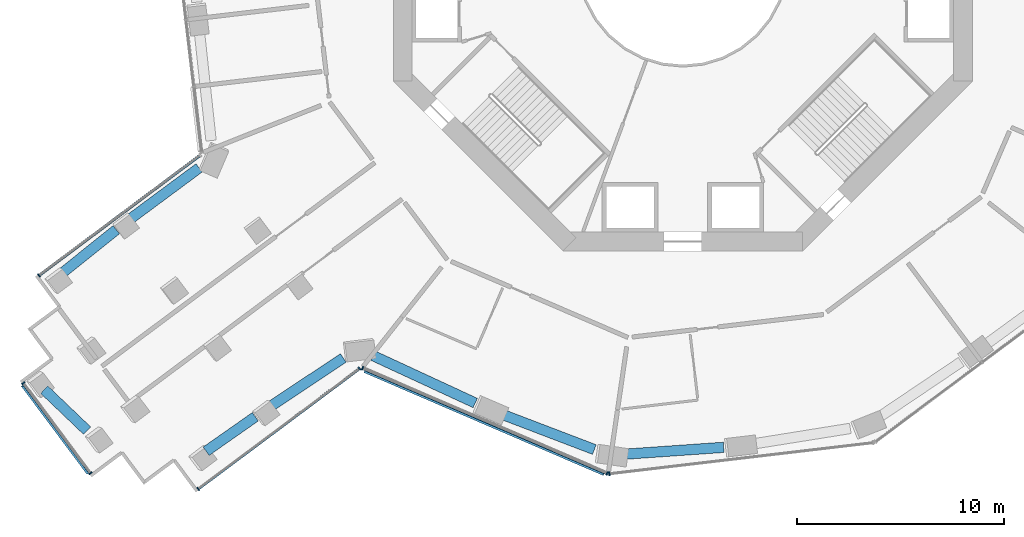
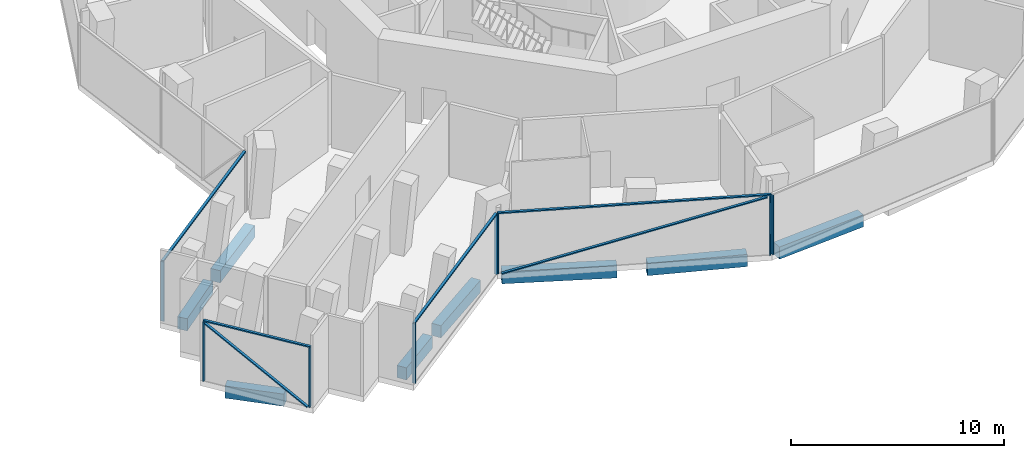
# One storey, part 2 of 17: 14 members, 8 beams, 5 elements without a shape of their own.
"""IFC4 building model written with IfcOpenShell, lengths in metres."""

import ifcopenshell
import ifcopenshell.guid

model = None  # the IFC model being written
_history = None  # IfcOwnerHistory: only IFC2X3 demands one
_inside = {}  # id of a spatial element -> (the spatial element, [elements in it])
_under = {}  # id of a project, library or spatial element -> (it, [spatial elements below it])
_declared = {}  # id of a project -> (the project, [libraries it declares])
_typed = {}  # id of a type object -> (the type object, [elements of that type])
_made_of = {}  # id of a material, layer set ... -> (it, [elements and type objects made of it])


def new_model(schema):
    """Start an empty IFC model of exactly this schema.

    Asked for "IFC4X3", IfcOpenShell would pick the latest addendum, in which some entities
    have other attributes; the version numbers below select the first issue.
    IFC2X3 requires an IfcOwnerHistory on every rooted entity: one is made here for all.
    """
    global model, _history
    if schema == "IFC4X3":
        model = ifcopenshell.file(schema_version=(4, 3, 0, 0))
    else:
        model = ifcopenshell.file(schema=schema)
    _inside.clear()
    _under.clear()
    _declared.clear()
    _typed.clear()
    _made_of.clear()
    _history = None
    if model.schema == "IFC2X3":
        org = make("IfcOrganization", Name="unknown")
        user = make(
            "IfcPersonAndOrganization",
            ThePerson=make("IfcPerson", FamilyName="unknown"),
            TheOrganization=org,
        )
        app = make(
            "IfcApplication",
            ApplicationDeveloper=org,
            Version="unknown",
            ApplicationFullName="unknown",
            ApplicationIdentifier="unknown",
        )
        _history = make(
            "IfcOwnerHistory",
            OwningUser=user,
            OwningApplication=app,
            ChangeAction="ADDED",
            CreationDate=0,
        )
    return model


def make(cls, **values):
    """One entity of the class cls with the attributes given. An attribute that is None is left unset."""
    return model.create_entity(
        cls, **{name: value for name, value in values.items() if value is not None}
    )


def rooted(cls, **values):
    """An entity with a GlobalId (a new one), such as an element, a storey or a relation."""
    return make(cls, GlobalId=ifcopenshell.guid.new(), OwnerHistory=_history, **values)


def si_unit(unit_type, name, prefix=None):
    """IfcSIUnit, for example si_unit("LENGTHUNIT", "METRE", prefix="MILLI")."""
    return make("IfcSIUnit", UnitType=unit_type, Prefix=prefix, Name=name)


def assignment(units):
    """IfcUnitAssignment: the units of a project."""
    return None if units is None else make("IfcUnitAssignment", Units=units)


def point(xyz):
    """IfcCartesianPoint."""
    return None if xyz is None else make("IfcCartesianPoint", Coordinates=xyz)


def direction(xyz):
    """IfcDirection."""
    return None if xyz is None else make("IfcDirection", DirectionRatios=xyz)


def frame(location, z_axis=None, x_axis=None):
    """IfcAxis2Placement3D, a coordinate frame: its origin and axes. An axis left out is left unset."""
    return make(
        "IfcAxis2Placement3D",
        Location=point(location),
        Axis=direction(z_axis),
        RefDirection=direction(x_axis),
    )


def frame_2d(location, x_axis=None):
    """IfcAxis2Placement2D, a coordinate frame in the plane: its origin and x axis."""
    return make(
        "IfcAxis2Placement2D", Location=point(location), RefDirection=direction(x_axis)
    )


def origin():
    """The frame at (0, 0, 0) with its axes left unset."""
    return frame((0.0, 0.0, 0.0))


def origin_2d():
    """The frame at (0, 0) in the plane with its x axis left unset."""
    return frame_2d((0.0, 0.0))


def place(relative_to, where):
    """IfcLocalPlacement: puts the frame where relative to a parent placement (None: the world)."""
    return make(
        "IfcLocalPlacement", PlacementRelTo=relative_to, RelativePlacement=where
    )


def context(
    kind, dimensions, precision=None, world=None, true_north=None, identifier=None
):
    """IfcGeometricRepresentationContext, for example the 3D "Model" context."""
    return make(
        "IfcGeometricRepresentationContext",
        ContextIdentifier=identifier,
        ContextType=kind,
        CoordinateSpaceDimension=dimensions,
        Precision=precision,
        WorldCoordinateSystem=world,
        TrueNorth=true_north,
    )


def subcontext(parent, identifier, kind, view, scale=None):
    """IfcGeometricRepresentationSubContext, for example "Body" below "Model"."""
    return make(
        "IfcGeometricRepresentationSubContext",
        ContextIdentifier=identifier,
        ContextType=kind,
        ParentContext=parent,
        TargetScale=scale,
        TargetView=view,
    )


def project(units=None, contexts=None):
    """IfcProject with its units and contexts."""
    return rooted(
        "IfcProject",
        Name="project",
        RepresentationContexts=contexts,
        UnitsInContext=assignment(units),
    )


def spatial(cls, under=None, at=None, **own):
    """A site, building, storey or space (cls), placed at a placement, below another one or the project."""
    s = rooted(cls, ObjectPlacement=at, **own)
    if under is not None:
        _under.setdefault(under.id(), (under, []))[1].append(s)
    return s


def profile(cls, at=None, kind="AREA", **sizes):
    """A parametric profile (cls). Its sizes go by their IFC names, for example OverallWidth=200.0."""
    return make(cls, ProfileType=kind, Position=at, **sizes)


def rectangle(**sizes):
    """IfcRectangleProfileDef."""
    return profile("IfcRectangleProfileDef", **sizes)


def extrude(swept, where, along, depth):
    """IfcExtrudedAreaSolid: the profile swept, set in the frame where, extruded along a direction by depth."""
    return make(
        "IfcExtrudedAreaSolid",
        SweptArea=swept,
        Position=where,
        ExtrudedDirection=direction(along),
        Depth=depth,
    )


def shape(context_of_items, identifier, shape_type, items):
    """IfcShapeRepresentation: the items that make up one representation, for example the "Body"."""
    return make(
        "IfcShapeRepresentation",
        ContextOfItems=context_of_items,
        RepresentationIdentifier=identifier,
        RepresentationType=shape_type,
        Items=items,
    )


def material(Name=None, Category=None):
    """IfcMaterial."""
    return make("IfcMaterial", Name=Name, Category=Category)


def layer(
    of_material, thickness, ventilated=None, Name=None, Category=None, Priority=None
):
    """IfcMaterialLayer: one layer of a wall or slab, of a material (None: an air gap)."""
    return make(
        "IfcMaterialLayer",
        Material=of_material,
        LayerThickness=thickness,
        IsVentilated=ventilated,
        Name=Name,
        Category=Category,
        Priority=Priority,
    )


def layer_set(layers, Name=None):
    """IfcMaterialLayerSet."""
    return make("IfcMaterialLayerSet", MaterialLayers=layers, LayerSetName=Name)


def material_profile(
    of_material, cross_section, Name=None, Category=None, Priority=None
):
    """IfcMaterialProfile: a cross section and its material."""
    return make(
        "IfcMaterialProfile",
        Name=Name,
        Material=of_material,
        Profile=cross_section,
        Priority=Priority,
        Category=Category,
    )


def profile_set(profiles, Name=None, composite=None):
    """IfcMaterialProfileSet."""
    return make(
        "IfcMaterialProfileSet",
        Name=Name,
        MaterialProfiles=profiles,
        CompositeProfile=composite,
    )


def made_of(thing, what):
    """Note that an element or type object is made of a material, layer set ...; save() writes the relation."""
    if what is not None:
        _made_of.setdefault(what.id(), (what, []))[1].append(thing)
    return thing


def type_object(cls, material=None, **own):
    """A type object (cls), such as IfcWallType, which elements share."""
    return made_of(rooted(cls, **own), material)


def element(
    cls,
    number,
    at=None,
    inside=None,
    cuts=None,
    type_object=None,
    material=None,
    context=None,
    identifier="Body",
    shape_type=None,
    held_by="IfcProductDefinitionShape",
    body=None,
    shapes=None,
    **own,
):
    """One element of the class cls, such as IfcWall. Its Tag is "e" and its number.

    at: its placement. inside: the storey or other place that contains it. cuts: it is an
    opening in that element (IfcRelVoidsElement). A single representation is given by context,
    identifier, shape_type and body (its items); several are given by shapes. held_by: the class
    of the entity that holds the representations. save() writes the other relations.
    """
    e = rooted(cls, Tag="e%d" % number, ObjectPlacement=at, **own)
    if body is not None:
        shapes = [shape(context, identifier, shape_type, body)]
    if shapes is not None:
        e.Representation = make(held_by, Representations=shapes)
    if inside is not None:
        _inside.setdefault(inside.id(), (inside, []))[1].append(e)
    if cuts is not None:
        rooted(
            "IfcRelVoidsElement", RelatingBuildingElement=cuts, RelatedOpeningElement=e
        )
    if type_object is not None:
        _typed.setdefault(type_object.id(), (type_object, []))[1].append(e)
    return made_of(e, material)


def aggregate(whole, parts):
    """IfcRelAggregates: a whole, such as a stair, and the parts it consists of."""
    return rooted("IfcRelAggregates", RelatingObject=whole, RelatedObjects=parts)


def save(model, path):
    """Write the relations noted so far, then the file.

    IfcRelAggregates (storeys below a building ...), IfcRelContainedInSpatialStructure (elements
    in a storey), IfcRelDefinesByType, IfcRelAssociatesMaterial and IfcRelDeclares: one each for
    every whole, place, type object, material and project.
    """
    for whole, parts in _under.values():
        aggregate(whole, parts)
    for where, things in _inside.values():
        rooted(
            "IfcRelContainedInSpatialStructure",
            RelatedElements=things,
            RelatingStructure=where,
        )
    for kind, things in _typed.values():
        rooted("IfcRelDefinesByType", RelatedObjects=things, RelatingType=kind)
    for what, things in _made_of.values():
        rooted("IfcRelAssociatesMaterial", RelatedObjects=things, RelatingMaterial=what)
    for by, libraries in _declared.values():
        rooted("IfcRelDeclares", RelatingContext=by, RelatedDefinitions=libraries)
    model.write(path)


model = new_model("IFC4")

# Units and contexts
model_context = context("Model", 3, precision=1e-05, world=origin(), true_north=direction((0.0, 1.0)))
body_context = subcontext(model_context, "Body", "Model", "MODEL_VIEW")
ifc_project = project(units=[si_unit("LENGTHUNIT", "METRE"), si_unit("AREAUNIT", "SQUARE_METRE"), si_unit("VOLUMEUNIT", "CUBIC_METRE"), si_unit("PLANEANGLEUNIT", "RADIAN"), si_unit("MASSUNIT", "GRAM", prefix="KILO")], contexts=[model_context])

# Site, building, storey
site_placement = place(None, origin())
site = spatial("IfcSite", under=ifc_project, at=site_placement, CompositionType="ELEMENT")
building_placement = place(site_placement, origin())
building = spatial("IfcBuilding", under=site, at=building_placement, Name="Verdalira Terraces Hotel", CompositionType="ELEMENT")
storey_placement = place(building_placement, frame((0.0, 0.0, 60.0)))
storey = spatial("IfcBuildingStorey", under=building, at=storey_placement, Name="L13", CompositionType="ELEMENT", Elevation=60.0)

# Curtain wall, member
ifc_material_1 = material(Name="Clear glass", Category="glass")
ifc_layer = layer(ifc_material_1, 0.179931640625)
ifc_layer_set = layer_set([ifc_layer], Name="CW4 curtain wall")
curtain_wall_type = type_object("IfcCurtainWallType", Name="CW4 curtain wall", PredefinedType="NOTDEFINED", material=ifc_layer_set)
curtain_wall_1_placement = place(storey_placement, origin())
curtain_wall_1 = element("IfcCurtainWall", 1, at=curtain_wall_1_placement, inside=storey, type_object=curtain_wall_type, Name="CW4 curtain wall L13 edge 14", PredefinedType="NOTDEFINED")
ifc_material_2 = material(Name="Terracotta frame", Category="masonry")
ifc_material_profile_1 = material_profile(ifc_material_2, rectangle(XDim=0.064941, YDim=0.179932, at=origin_2d()), Name="MU 65x180")
ifc_profile_set_1 = profile_set([ifc_material_profile_1], Name="Terracotta frame")
member_type_1 = type_object("IfcMemberType", Name="CW4 mullion 65x180", PredefinedType="MULLION", material=ifc_profile_set_1)
member_1_placement = place(storey_placement, frame((-31.137451, -15.191895, 0.0), z_axis=(0.0, 0.0, 1.0), x_axis=(-0.801566985, -0.597904983, 0.0)))
member_1 = element("IfcMember", 2, at=member_1_placement, type_object=member_type_1, Name="CW4 mullion", PredefinedType="MULLION", context=body_context, shape_type="SweptSolid", body=[
    extrude(rectangle(XDim=0.064941, YDim=0.179932, at=origin_2d()), origin(), (0.0, 0.0, 1.0), 3.419922),
])

# Curtain wall, members
curtain_wall_2_placement = place(storey_placement, origin())
curtain_wall_2 = element("IfcCurtainWall", 3, at=curtain_wall_2_placement, inside=storey, type_object=curtain_wall_type, Name="CW4 curtain wall L13 edge 19", PredefinedType="NOTDEFINED")
member_2_placement = place(storey_placement, frame((-31.895508, -20.401367, 0.0), z_axis=(0.0, 0.0, 1.0), x_axis=(0.597904983, -0.801566985, 0.0)))
member_2 = element("IfcMember", 4, at=member_2_placement, type_object=member_type_1, Name="CW4 mullion", PredefinedType="MULLION", context=body_context, shape_type="SweptSolid", body=[
    extrude(rectangle(XDim=0.064941, YDim=0.179932, at=origin_2d()), origin(), (0.0, 0.0, 1.0), 3.419922),
])
member_3_placement = place(storey_placement, frame((-28.645996, -24.757812, 0.0), z_axis=(0.0, 0.0, 1.0), x_axis=(0.597904983, -0.801566985, 0.0)))
member_3 = element("IfcMember", 5, at=member_3_placement, type_object=member_type_1, Name="CW4 mullion", PredefinedType="MULLION", context=body_context, shape_type="SweptSolid", body=[
    extrude(rectangle(XDim=0.064941, YDim=0.179932, at=origin_2d()), origin(), (0.0, 0.0, 1.0), 3.419922),
])

curtain_wall_3_placement = place(storey_placement, origin())
curtain_wall_3 = element("IfcCurtainWall", 6, at=curtain_wall_3_placement, inside=storey, type_object=curtain_wall_type, Name="CW4 curtain wall L13 edge 24", PredefinedType="NOTDEFINED")
member_4_placement = place(storey_placement, frame((-23.436523, -25.515869, 0.0), z_axis=(0.0, 0.0, 1.0), x_axis=(0.801566985, 0.597904983, 0.0)))
member_4 = element("IfcMember", 7, at=member_4_placement, type_object=member_type_1, Name="CW4 mullion", PredefinedType="MULLION", context=body_context, shape_type="SweptSolid", body=[
    extrude(rectangle(XDim=0.064941, YDim=0.179932, at=origin_2d()), origin(), (0.0, 0.0, 1.0), 3.419922),
])
member_5_placement = place(storey_placement, frame((-15.634033, -19.696045, 0.0), z_axis=(0.0, 0.0, 1.0), x_axis=(0.801566985, 0.597904983, 0.0)))
member_5 = element("IfcMember", 8, at=member_5_placement, type_object=member_type_1, Name="CW4 mullion", PredefinedType="MULLION", context=body_context, shape_type="SweptSolid", body=[
    extrude(rectangle(XDim=0.064941, YDim=0.179932, at=origin_2d()), origin(), (0.0, 0.0, 1.0), 3.419922),
])

curtain_wall_4_placement = place(storey_placement, origin())
curtain_wall_4 = element("IfcCurtainWall", 9, at=curtain_wall_4_placement, inside=storey, type_object=curtain_wall_type, Name="CW4 curtain wall L13 edge 25", PredefinedType="NOTDEFINED")
member_6_placement = place(storey_placement, frame((-15.48877, -19.678955, 0.0), z_axis=(0.0, 0.0, 1.0), x_axis=(0.918584397, -0.39522488, 0.0)))
member_6 = element("IfcMember", 10, at=member_6_placement, type_object=member_type_1, Name="CW4 mullion", PredefinedType="MULLION", context=body_context, shape_type="SweptSolid", body=[
    extrude(rectangle(XDim=0.064941, YDim=0.179932, at=origin_2d()), origin(), (0.0, 0.0, 1.0), 3.419922),
])
member_7_placement = place(storey_placement, frame((-3.659668, -24.768555, 0.0), z_axis=(0.0, 0.0, 1.0), x_axis=(0.918584397, -0.39522488, 0.0)))
member_7 = element("IfcMember", 11, at=member_7_placement, type_object=member_type_1, Name="CW4 mullion", PredefinedType="MULLION", context=body_context, shape_type="SweptSolid", body=[
    extrude(rectangle(XDim=0.064941, YDim=0.179932, at=origin_2d()), origin(), (0.0, 0.0, 1.0), 3.419922),
])

# Curtain wall, member
curtain_wall_5_placement = place(storey_placement, origin())
curtain_wall_5 = element("IfcCurtainWall", 12, at=curtain_wall_5_placement, inside=storey, type_object=curtain_wall_type, Name="CW4 curtain wall L13 edge 26", PredefinedType="NOTDEFINED")
member_8_placement = place(storey_placement, frame((-3.551514, -24.78418, 0.0), z_axis=(0.0, 0.0, 1.0), x_axis=(0.993129863, 0.117017412, 0.0)))
member_8 = element("IfcMember", 13, at=member_8_placement, type_object=member_type_1, Name="CW4 mullion", PredefinedType="MULLION", context=body_context, shape_type="SweptSolid", body=[
    extrude(rectangle(XDim=0.064941, YDim=0.179932, at=origin_2d()), origin(), (0.0, 0.0, 1.0), 3.419922),
])
aggregate(curtain_wall_5, [member_8])

# Member
ifc_material_3 = material(Name="Terracotta frame", Category="masonry")
ifc_material_profile_2 = material_profile(ifc_material_3, rectangle(XDim=0.139893, YDim=0.070068, at=origin_2d()), Name="TR 70x140")
ifc_profile_set_2 = profile_set([ifc_material_profile_2], Name="Terracotta frame")
member_type_2 = type_object("IfcMemberType", Name="CW4 transom 70x140", PredefinedType="USERDEFINED", material=ifc_profile_set_2)
member_9_placement = place(storey_placement, frame((-23.309082, -9.352539, 3.455078), z_axis=(-0.801575866, -0.597893077, 0.0), x_axis=(0.597893077, -0.801575866, 0.0)))
member_9 = element("IfcMember", 14, at=member_9_placement, type_object=member_type_2, Name="CW4 transom", ObjectType="TRANSOM", PredefinedType="USERDEFINED", context=body_context, shape_type="SweptSolid", body=[
    extrude(rectangle(XDim=0.139893, YDim=0.070068, at=origin_2d()), origin(), (0.0, 0.0, 1.0), 9.798828),
])

aggregate(curtain_wall_1, [member_1, member_9])

member_10_placement = place(storey_placement, frame((-31.915039, -20.375244, 3.455078), z_axis=(0.597909932, -0.801563293, 0.0), x_axis=(0.801563293, 0.597909932, 0.0)))
member_10 = element("IfcMember", 15, at=member_10_placement, type_object=member_type_2, Name="CW4 transom", ObjectType="TRANSOM", PredefinedType="USERDEFINED", context=body_context, shape_type="SweptSolid", body=[
    extrude(rectangle(XDim=0.139893, YDim=0.070068, at=origin_2d()), origin(), (0.0, 0.0, 1.0), 5.5),
])

member_11_placement = place(storey_placement, frame((-23.462402, -25.5354, 3.455078), z_axis=(0.801555018, 0.597921026, 0.0), x_axis=(-0.597921026, 0.801555018, 0.0)))
member_11 = element("IfcMember", 16, at=member_11_placement, type_object=member_type_2, Name="CW4 transom", ObjectType="TRANSOM", PredefinedType="USERDEFINED", context=body_context, shape_type="SweptSolid", body=[
    extrude(rectangle(XDim=0.139893, YDim=0.070068, at=origin_2d()), origin(), (0.0, 0.0, 1.0), 9.798828),
])

aggregate(curtain_wall_3, [member_4, member_5, member_11])

member_12_placement = place(storey_placement, frame((-15.518555, -19.666016, 3.455078), z_axis=(0.918582089, -0.395230243, 0.0), x_axis=(0.395230243, 0.918582089, 0.0)))
member_12 = element("IfcMember", 17, at=member_12_placement, type_object=member_type_2, Name="CW4 transom", ObjectType="TRANSOM", PredefinedType="USERDEFINED", context=body_context, shape_type="SweptSolid", body=[
    extrude(rectangle(XDim=0.139893, YDim=0.070068, at=origin_2d()), origin(), (0.0, 0.0, 1.0), 12.942383),
])

ifc_material_4 = material(Name="Terracotta frame", Category="masonry")
ifc_material_profile_3 = material_profile(ifc_material_4, rectangle(XDim=0.149902, YDim=0.060059, at=origin_2d()), Name="GB 60x150")
ifc_profile_set_3 = profile_set([ifc_material_profile_3], Name="Terracotta frame")
member_type_3 = type_object("IfcMemberType", Name="Diagonal glazing bar 60x150", PredefinedType="USERDEFINED", material=ifc_profile_set_3)
member_13_placement = place(storey_placement, frame((-31.926025, -20.516113, 3.393555), z_axis=(0.504333136, -0.676092279, -0.537166006), x_axis=(0.801554332, 0.597921945, 0.0)))
member_13 = element("IfcMember", 18, at=member_13_placement, type_object=member_type_3, Name="Diagonal glazing bar", ObjectType="GLAZING BAR", PredefinedType="USERDEFINED", context=body_context, shape_type="SweptSolid", body=[
    extrude(rectangle(XDim=0.149902, YDim=0.060059, at=origin_2d()), origin(), (0.0, 0.0, 1.0), 6.268311),
])

aggregate(curtain_wall_2, [member_2, member_3, member_10, member_13])

member_14_placement = place(storey_placement, frame((-15.394287, -19.820801, 0.029541), z_axis=(0.887512331, -0.381861097, 0.257883628), x_axis=(0.39522934, 0.918582478, 0.0)))
member_14 = element("IfcMember", 19, at=member_14_placement, type_object=member_type_3, Name="Diagonal glazing bar", ObjectType="GLAZING BAR", PredefinedType="USERDEFINED", context=body_context, shape_type="SweptSolid", body=[
    extrude(rectangle(XDim=0.149902, YDim=0.060059, at=origin_2d()), origin(), (0.0, 0.0, 1.0), 13.032471),
])

aggregate(curtain_wall_4, [member_6, member_7, member_12, member_14])

# Beams
ifc_material_5 = material(Name="Concrete C70", Category="concrete")
ifc_material_profile_4 = material_profile(ifc_material_5, rectangle(XDim=0.5, YDim=0.699951, at=origin_2d()), Name="RC 500X700")
ifc_profile_set_4 = profile_set([ifc_material_profile_4], Name="Concrete C70")
beam_type = type_object("IfcBeamType", Name="Spandrel beam RC 500X700 C70", PredefinedType="SPANDREL", material=ifc_profile_set_4)
beam_1_placement = place(storey_placement, frame((-23.391602, -9.990234, -0.659912), z_axis=(-0.803482844, -0.595327909, 0.0), x_axis=(0.595327909, -0.803482844, 0.0)))
element("IfcBeam", 20, at=beam_1_placement, inside=storey, type_object=beam_type, Name="Spandrel beam B14", PredefinedType="SPANDREL", context=body_context, shape_type="SweptSolid", body=[
    extrude(rectangle(XDim=0.5, YDim=0.699951, at=origin_2d()), origin(), (0.0, 0.0, 1.0), 4.072266),
])
beam_2_placement = place(storey_placement, frame((-27.39624, -12.979248, -0.659912), z_axis=(-0.780552579, -0.62509013, 0.0), x_axis=(0.62509013, -0.780552579, 0.0)))
element("IfcBeam", 21, at=beam_2_placement, inside=storey, type_object=beam_type, Name="Spandrel beam B15", PredefinedType="SPANDREL", context=body_context, shape_type="SweptSolid", body=[
    extrude(rectangle(XDim=0.5, YDim=0.699951, at=origin_2d()), origin(), (0.0, 0.0, 1.0), 3.315186),
])
beam_3_placement = place(storey_placement, frame((-30.880859, -20.714111, -0.659912), z_axis=(0.722819483, -0.691036898, 0.0), x_axis=(0.691036898, 0.722819483, 0.0)))
element("IfcBeam", 22, at=beam_3_placement, inside=storey, type_object=beam_type, Name="Spandrel beam B16", PredefinedType="SPANDREL", context=body_context, shape_type="SweptSolid", body=[
    extrude(rectangle(XDim=0.5, YDim=0.699951, at=origin_2d()), origin(), (0.0, 0.0, 1.0), 2.865234),
])
beam_4_placement = place(storey_placement, frame((-23.051514, -23.691895, -0.659912), z_axis=(0.818844513, 0.574015386, 0.0), x_axis=(-0.574015386, 0.818844513, 0.0)))
element("IfcBeam", 23, at=beam_4_placement, inside=storey, type_object=beam_type, Name="Spandrel beam B17", PredefinedType="SPANDREL", context=body_context, shape_type="SweptSolid", body=[
    extrude(rectangle(XDim=0.5, YDim=0.699951, at=origin_2d()), origin(), (0.0, 0.0, 1.0), 2.902832),
])
beam_5_placement = place(storey_placement, frame((-19.915039, -21.50708, -0.659912), z_axis=(0.832827794, 0.553532172, 0.0), x_axis=(-0.553532172, 0.832827794, 0.0)))
element("IfcBeam", 24, at=beam_5_placement, inside=storey, type_object=beam_type, Name="Spandrel beam B18", PredefinedType="SPANDREL", context=body_context, shape_type="SweptSolid", body=[
    extrude(rectangle(XDim=0.5, YDim=0.699951, at=origin_2d()), origin(), (0.0, 0.0, 1.0), 4.198486),
])
beam_6_placement = place(storey_placement, frame((-14.973389, -19.073486, -0.659912), z_axis=(0.907352786, -0.420369983, 0.0), x_axis=(0.420369983, 0.907352786, 0.0)))
element("IfcBeam", 25, at=beam_6_placement, inside=storey, type_object=beam_type, Name="Spandrel beam B19", PredefinedType="SPANDREL", context=body_context, shape_type="SweptSolid", body=[
    extrude(rectangle(XDim=0.5, YDim=0.699951, at=origin_2d()), origin(), (0.0, 0.0, 1.0), 5.438965),
])
beam_7_placement = place(storey_placement, frame((-8.721436, -21.914795, -0.659912), z_axis=(0.93423456, -0.356659202, 0.0), x_axis=(0.356659202, 0.93423456, 0.0)))
element("IfcBeam", 26, at=beam_7_placement, inside=storey, type_object=beam_type, Name="Spandrel beam B20", PredefinedType="SPANDREL", context=body_context, shape_type="SweptSolid", body=[
    extrude(rectangle(XDim=0.5, YDim=0.699951, at=origin_2d()), origin(), (0.0, 0.0, 1.0), 4.755371),
])
beam_8_placement = place(storey_placement, frame((-2.770996, -23.833496, -0.659912), z_axis=(0.997595352, 0.06930738, 0.0), x_axis=(-0.06930738, 0.997595352, 0.0)))
element("IfcBeam", 27, at=beam_8_placement, inside=storey, type_object=beam_type, Name="Spandrel beam B21", PredefinedType="SPANDREL", context=body_context, shape_type="SweptSolid", body=[
    extrude(rectangle(XDim=0.5, YDim=0.699951, at=origin_2d()), origin(), (0.0, 0.0, 1.0), 4.759033),
])

save(model, "model.ifc")
